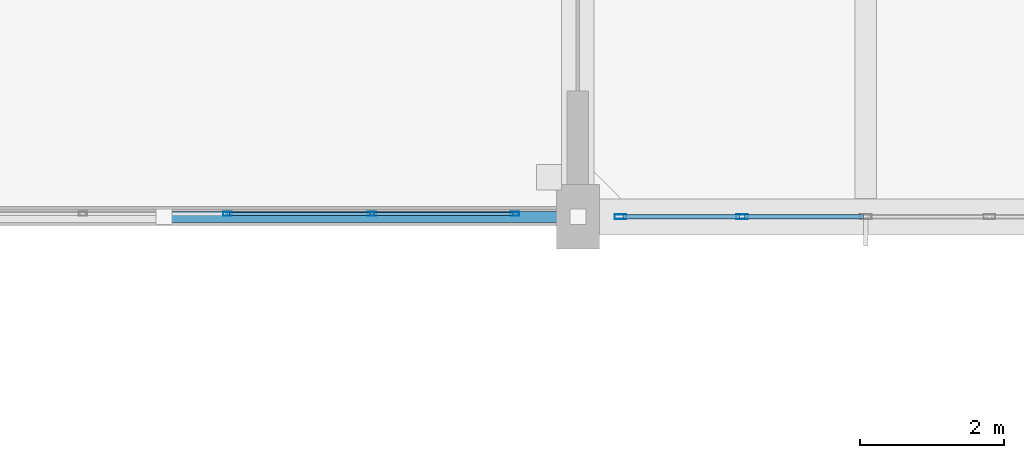
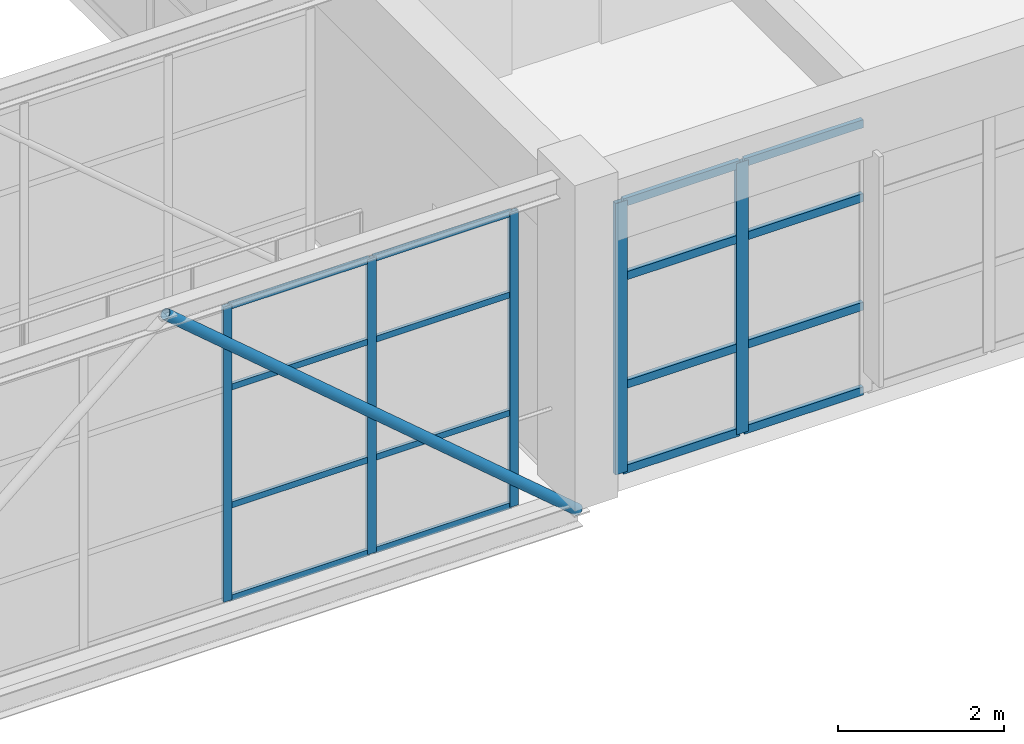
# One storey, part 99 of 248: 22 members, 2 elements without a shape of their own.
"""IFC4 building model written with IfcOpenShell, lengths in metres."""

from ifc_helpers import new_model, si_unit, direction, frame, origin, origin_2d, place, context, subcontext, project, spatial, hollow_rectangle, hollow_circle, extrude, material, layer, layer_set, material_profile, profile_set, type_object, element, aggregate, save


model = new_model("IFC4")

# Units and contexts
model_context = context("Model", 3, precision=1e-05, world=origin(), true_north=direction((0.0, 1.0)))
body_context = subcontext(model_context, "Body", "Model", "MODEL_VIEW")
ifc_project = project(units=[si_unit("LENGTHUNIT", "METRE"), si_unit("AREAUNIT", "SQUARE_METRE"), si_unit("VOLUMEUNIT", "CUBIC_METRE"), si_unit("PLANEANGLEUNIT", "RADIAN"), si_unit("MASSUNIT", "GRAM", prefix="KILO")], contexts=[model_context])

# Site, building, storey
site_placement = place(None, origin())
site = spatial("IfcSite", under=ifc_project, at=site_placement, CompositionType="ELEMENT")
building_placement = place(site_placement, origin())
building = spatial("IfcBuilding", under=site, at=building_placement, Name="Canggui Botanical Conservatory", CompositionType="ELEMENT")
storey_placement = place(building_placement, frame((0.0, 0.0, 5.39990234375)))
storey = spatial("IfcBuildingStorey", under=building, at=storey_placement, Name="L02", CompositionType="ELEMENT", Elevation=5.39990234375)

# Curtain wall, members
ifc_material_1 = material(Name="Thermally Broken Aluminium", Category="aluminium")
ifc_layer_1 = layer(ifc_material_1, 0.1650390625, Name="Thermally Broken Aluminium", Category="aluminium")
ifc_layer_set_1 = layer_set([ifc_layer_1], Name="Thermally Broken Aluminium")
curtain_wall_type_1 = type_object("IfcCurtainWallType", Name="CW-UNIT-B", PredefinedType="USERDEFINED", material=ifc_layer_set_1)
curtain_wall_1_placement = place(storey_placement, origin())
curtain_wall_1 = element("IfcCurtainWall", 1, at=curtain_wall_1_placement, inside=storey, type_object=curtain_wall_type_1, Name="Facade Curtain Wall CW-TWR-L02-06", ObjectType="UNITISED CURTAIN WALL", PredefinedType="USERDEFINED")
ifc_material_profile_1 = material_profile(ifc_material_1, hollow_rectangle(XDim=0.06494140625, YDim=0.1650390625, WallThickness=0.00390625, at=origin_2d()), Name="CWM 65x165x4")
ifc_profile_set_1 = profile_set([ifc_material_profile_1], Name="Thermally Broken Aluminium")
member_type_1 = type_object("IfcMemberType", Name="CWM-02", PredefinedType="MULLION", material=ifc_profile_set_1)
member_1_placement = place(storey_placement, frame((132.280029296875, 26.0, 0.0), z_axis=(0.0, 0.0, 1.0), x_axis=(0.0, -1.0, 0.0)))
member_1 = element("IfcMember", 2, at=member_1_placement, type_object=member_type_1, Name="CW-02 mullion 4", PredefinedType="MULLION", context=body_context, shape_type="SweptSolid", body=[
    extrude(hollow_rectangle(XDim=0.06494140625, YDim=0.1650390625, WallThickness=0.00390625, at=origin_2d()), origin(), (0.0, 0.0, 1.0), 4.0),
])
member_2_placement = place(storey_placement, frame((130.592529296875, 26.0, 0.0), z_axis=(0.0, 0.0, 1.0), x_axis=(0.0, -1.0, 0.0)))
member_2 = element("IfcMember", 3, at=member_2_placement, type_object=member_type_1, Name="CW-02 mullion 5", PredefinedType="MULLION", context=body_context, shape_type="SweptSolid", body=[
    extrude(hollow_rectangle(XDim=0.06494140625, YDim=0.1650390625, WallThickness=0.00390625, at=origin_2d()), origin(), (0.0, 0.0, 1.0), 4.0),
])

ifc_layer_2 = layer(ifc_material_1, 0.1201171875, Name="Thermally Broken Aluminium", Category="aluminium")
ifc_layer_set_2 = layer_set([ifc_layer_2], Name="Thermally Broken Aluminium")
curtain_wall_type_2 = type_object("IfcCurtainWallType", Name="CW-STICK-B", PredefinedType="USERDEFINED", material=ifc_layer_set_2)
curtain_wall_2_placement = place(storey_placement, origin())
curtain_wall_2 = element("IfcCurtainWall", 4, at=curtain_wall_2_placement, inside=storey, type_object=curtain_wall_type_2, Name="Facade Curtain Wall CW-SB-01-1", ObjectType="STICK GLAZED WALL", PredefinedType="USERDEFINED")
ifc_material_profile_2 = material_profile(ifc_material_1, hollow_rectangle(XDim=0.054931640625, YDim=0.1201171875, WallThickness=0.0029296875, at=origin_2d()), Name="CWM 55x120x3")
ifc_profile_set_2 = profile_set([ifc_material_profile_2], Name="Thermally Broken Aluminium")
member_type_2 = type_object("IfcMemberType", Name="CWM-05", PredefinedType="MULLION", material=ifc_profile_set_2)
member_3_placement = place(storey_placement, frame((125.130615234375, 26.0400390625, 0.0), z_axis=(0.0, 0.0, 1.0), x_axis=(0.0, 1.0, 0.0)))
member_3 = element("IfcMember", 5, at=member_3_placement, type_object=member_type_2, Name="CW-05 mullion 30", PredefinedType="MULLION", context=body_context, shape_type="SweptSolid", body=[
    extrude(hollow_rectangle(XDim=0.054931640625, YDim=0.1201171875, WallThickness=0.0029296875, at=origin_2d()), origin(), (0.0, 0.0, 1.0), 4.35009765625),
])
member_4_placement = place(storey_placement, frame((127.140380859375, 26.0400390625, 0.0), z_axis=(0.0, 0.0, 1.0), x_axis=(0.0, 1.0, 0.0)))
member_4 = element("IfcMember", 6, at=member_4_placement, type_object=member_type_2, Name="CW-05 mullion 31", PredefinedType="MULLION", context=body_context, shape_type="SweptSolid", body=[
    extrude(hollow_rectangle(XDim=0.054931640625, YDim=0.1201171875, WallThickness=0.0029296875, at=origin_2d()), origin(), (0.0, 0.0, 1.0), 4.35009765625),
])
member_5_placement = place(storey_placement, frame((129.12255859375, 26.0400390625, 0.0), z_axis=(0.0, 0.0, 1.0), x_axis=(0.0, 1.0, 0.0)))
member_5 = element("IfcMember", 7, at=member_5_placement, type_object=member_type_2, Name="CW-05 mullion 32", PredefinedType="MULLION", context=body_context, shape_type="SweptSolid", body=[
    extrude(hollow_rectangle(XDim=0.054931640625, YDim=0.1201171875, WallThickness=0.0029296875, at=origin_2d()), origin(), (0.0, 0.0, 1.0), 4.35009765625),
])

# Member
ifc_material_profile_3 = material_profile(ifc_material_1, hollow_rectangle(XDim=0.06005859375, YDim=0.1201171875, WallThickness=0.00341796875, at=origin_2d()), Name="CWT 60x120x3.5")
ifc_profile_set_3 = profile_set([ifc_material_profile_3], Name="Thermally Broken Aluminium")
member_type_3 = type_object("IfcMemberType", Name="CWT-02", PredefinedType="USERDEFINED", material=ifc_profile_set_3)
member_6_placement = place(storey_placement, frame((133.967529296875, 26.0, 0.030029296875), z_axis=(-1.0, 0.0, 0.0), x_axis=(0.0, -1.0, 0.0)))
member_6 = element("IfcMember", 8, at=member_6_placement, type_object=member_type_3, Name="CW-02 transom 3.1", ObjectType="TRANSOM", PredefinedType="USERDEFINED", context=body_context, shape_type="SweptSolid", body=[
    extrude(hollow_rectangle(XDim=0.06005859375, YDim=0.1201171875, WallThickness=0.00341796875, at=origin_2d()), origin(), (0.0, 0.0, 1.0), 1.655029296875),
])

member_7_placement = place(storey_placement, frame((133.967529296875, 26.0, 1.280029296875), z_axis=(-1.0, 0.0, 0.0), x_axis=(0.0, -1.0, 0.0)))
member_7 = element("IfcMember", 9, at=member_7_placement, type_object=member_type_3, Name="CW-02 transom 3.2", ObjectType="TRANSOM", PredefinedType="USERDEFINED", context=body_context, shape_type="SweptSolid", body=[
    extrude(hollow_rectangle(XDim=0.06005859375, YDim=0.1201171875, WallThickness=0.00341796875, at=origin_2d()), origin(), (0.0, 0.0, 1.0), 1.655029296875),
])

member_8_placement = place(storey_placement, frame((133.967529296875, 26.0, 2.880126953125), z_axis=(-1.0, 0.0, 0.0), x_axis=(0.0, -1.0, 0.0)))
member_8 = element("IfcMember", 10, at=member_8_placement, type_object=member_type_3, Name="CW-02 transom 3.3", ObjectType="TRANSOM", PredefinedType="USERDEFINED", context=body_context, shape_type="SweptSolid", body=[
    extrude(hollow_rectangle(XDim=0.06005859375, YDim=0.1201171875, WallThickness=0.00341796875, at=origin_2d()), origin(), (0.0, 0.0, 1.0), 1.655029296875),
])

member_9_placement = place(storey_placement, frame((133.967529296875, 26.0, 3.97021484375), z_axis=(-1.0, 0.0, 0.0), x_axis=(0.0, -1.0, 0.0)))
member_9 = element("IfcMember", 11, at=member_9_placement, type_object=member_type_3, Name="CW-02 transom 3.4", ObjectType="TRANSOM", PredefinedType="USERDEFINED", context=body_context, shape_type="SweptSolid", body=[
    extrude(hollow_rectangle(XDim=0.06005859375, YDim=0.1201171875, WallThickness=0.00341796875, at=origin_2d()), origin(), (0.0, 0.0, 1.0), 1.655029296875),
])

member_10_placement = place(storey_placement, frame((132.24755859375, 26.0, 0.030029296875), z_axis=(-1.0, 0.0, 0.0), x_axis=(0.0, -1.0, 0.0)))
member_10 = element("IfcMember", 12, at=member_10_placement, type_object=member_type_3, Name="CW-02 transom 4.1", ObjectType="TRANSOM", PredefinedType="USERDEFINED", context=body_context, shape_type="SweptSolid", body=[
    extrude(hollow_rectangle(XDim=0.06005859375, YDim=0.1201171875, WallThickness=0.00341796875, at=origin_2d()), origin(), (0.0, 0.0, 1.0), 1.62255859375),
])

member_11_placement = place(storey_placement, frame((132.24755859375, 26.0, 1.280029296875), z_axis=(-1.0, 0.0, 0.0), x_axis=(0.0, -1.0, 0.0)))
member_11 = element("IfcMember", 13, at=member_11_placement, type_object=member_type_3, Name="CW-02 transom 4.2", ObjectType="TRANSOM", PredefinedType="USERDEFINED", context=body_context, shape_type="SweptSolid", body=[
    extrude(hollow_rectangle(XDim=0.06005859375, YDim=0.1201171875, WallThickness=0.00341796875, at=origin_2d()), origin(), (0.0, 0.0, 1.0), 1.62255859375),
])

member_12_placement = place(storey_placement, frame((132.24755859375, 26.0, 2.880126953125), z_axis=(-1.0, 0.0, 0.0), x_axis=(0.0, -1.0, 0.0)))
member_12 = element("IfcMember", 14, at=member_12_placement, type_object=member_type_3, Name="CW-02 transom 4.3", ObjectType="TRANSOM", PredefinedType="USERDEFINED", context=body_context, shape_type="SweptSolid", body=[
    extrude(hollow_rectangle(XDim=0.06005859375, YDim=0.1201171875, WallThickness=0.00341796875, at=origin_2d()), origin(), (0.0, 0.0, 1.0), 1.62255859375),
])

member_13_placement = place(storey_placement, frame((132.24755859375, 26.0, 3.97021484375), z_axis=(-1.0, 0.0, 0.0), x_axis=(0.0, -1.0, 0.0)))
member_13 = element("IfcMember", 15, at=member_13_placement, type_object=member_type_3, Name="CW-02 transom 4.4", ObjectType="TRANSOM", PredefinedType="USERDEFINED", context=body_context, shape_type="SweptSolid", body=[
    extrude(hollow_rectangle(XDim=0.06005859375, YDim=0.1201171875, WallThickness=0.00341796875, at=origin_2d()), origin(), (0.0, 0.0, 1.0), 1.62255859375),
])

aggregate(curtain_wall_1, [member_1, member_2, member_6, member_7, member_8, member_9, member_10, member_11, member_12, member_13])

ifc_material_profile_4 = material_profile(ifc_material_1, hollow_rectangle(XDim=0.044921875, YDim=0.090087890625, WallThickness=0.0029296875, at=origin_2d()), Name="CWT 45x90x3")
ifc_profile_set_4 = profile_set([ifc_material_profile_4], Name="Thermally Broken Aluminium")
member_type_4 = type_object("IfcMemberType", Name="CWT-05", PredefinedType="USERDEFINED", material=ifc_profile_set_4)
member_14_placement = place(storey_placement, frame((125.158203125, 26.0400390625, 0.022705078125), z_axis=(1.0, 0.0, 0.0), x_axis=(0.0, 1.0, 0.0)))
member_14 = element("IfcMember", 16, at=member_14_placement, type_object=member_type_4, Name="CW-05 transom 30.1", ObjectType="TRANSOM", PredefinedType="USERDEFINED", context=body_context, shape_type="SweptSolid", body=[
    extrude(hollow_rectangle(XDim=0.044921875, YDim=0.090087890625, WallThickness=0.0029296875, at=origin_2d()), origin(), (0.0, 0.0, 1.0), 1.95458984375),
])

member_15_placement = place(storey_placement, frame((125.158203125, 26.0400390625, 1.39208984375), z_axis=(1.0, 0.0, 0.0), x_axis=(0.0, 1.0, 0.0)))
member_15 = element("IfcMember", 17, at=member_15_placement, type_object=member_type_4, Name="CW-05 transom 30.2", ObjectType="TRANSOM", PredefinedType="USERDEFINED", context=body_context, shape_type="SweptSolid", body=[
    extrude(hollow_rectangle(XDim=0.044921875, YDim=0.090087890625, WallThickness=0.0029296875, at=origin_2d()), origin(), (0.0, 0.0, 1.0), 1.95458984375),
])

member_16_placement = place(storey_placement, frame((125.158203125, 26.0400390625, 3.132080078125), z_axis=(1.0, 0.0, 0.0), x_axis=(0.0, 1.0, 0.0)))
member_16 = element("IfcMember", 18, at=member_16_placement, type_object=member_type_4, Name="CW-05 transom 30.3", ObjectType="TRANSOM", PredefinedType="USERDEFINED", context=body_context, shape_type="SweptSolid", body=[
    extrude(hollow_rectangle(XDim=0.044921875, YDim=0.090087890625, WallThickness=0.0029296875, at=origin_2d()), origin(), (0.0, 0.0, 1.0), 1.95458984375),
])

member_17_placement = place(storey_placement, frame((125.158203125, 26.0400390625, 4.32763671875), z_axis=(1.0, 0.0, 0.0), x_axis=(0.0, 1.0, 0.0)))
member_17 = element("IfcMember", 19, at=member_17_placement, type_object=member_type_4, Name="CW-05 transom 30.4", ObjectType="TRANSOM", PredefinedType="USERDEFINED", context=body_context, shape_type="SweptSolid", body=[
    extrude(hollow_rectangle(XDim=0.044921875, YDim=0.090087890625, WallThickness=0.0029296875, at=origin_2d()), origin(), (0.0, 0.0, 1.0), 1.95458984375),
])

member_18_placement = place(storey_placement, frame((127.167724609375, 26.0400390625, 0.022705078125), z_axis=(1.0, 0.0, 0.0), x_axis=(0.0, 1.0, 0.0)))
member_18 = element("IfcMember", 20, at=member_18_placement, type_object=member_type_4, Name="CW-05 transom 31.1", ObjectType="TRANSOM", PredefinedType="USERDEFINED", context=body_context, shape_type="SweptSolid", body=[
    extrude(hollow_rectangle(XDim=0.044921875, YDim=0.090087890625, WallThickness=0.0029296875, at=origin_2d()), origin(), (0.0, 0.0, 1.0), 1.92724609375),
])

member_19_placement = place(storey_placement, frame((127.167724609375, 26.0400390625, 1.39208984375), z_axis=(1.0, 0.0, 0.0), x_axis=(0.0, 1.0, 0.0)))
member_19 = element("IfcMember", 21, at=member_19_placement, type_object=member_type_4, Name="CW-05 transom 31.2", ObjectType="TRANSOM", PredefinedType="USERDEFINED", context=body_context, shape_type="SweptSolid", body=[
    extrude(hollow_rectangle(XDim=0.044921875, YDim=0.090087890625, WallThickness=0.0029296875, at=origin_2d()), origin(), (0.0, 0.0, 1.0), 1.92724609375),
])

member_20_placement = place(storey_placement, frame((127.167724609375, 26.0400390625, 3.132080078125), z_axis=(1.0, 0.0, 0.0), x_axis=(0.0, 1.0, 0.0)))
member_20 = element("IfcMember", 22, at=member_20_placement, type_object=member_type_4, Name="CW-05 transom 31.3", ObjectType="TRANSOM", PredefinedType="USERDEFINED", context=body_context, shape_type="SweptSolid", body=[
    extrude(hollow_rectangle(XDim=0.044921875, YDim=0.090087890625, WallThickness=0.0029296875, at=origin_2d()), origin(), (0.0, 0.0, 1.0), 1.92724609375),
])

member_21_placement = place(storey_placement, frame((127.167724609375, 26.0400390625, 4.32763671875), z_axis=(1.0, 0.0, 0.0), x_axis=(0.0, 1.0, 0.0)))
member_21 = element("IfcMember", 23, at=member_21_placement, type_object=member_type_4, Name="CW-05 transom 31.4", ObjectType="TRANSOM", PredefinedType="USERDEFINED", context=body_context, shape_type="SweptSolid", body=[
    extrude(hollow_rectangle(XDim=0.044921875, YDim=0.090087890625, WallThickness=0.0029296875, at=origin_2d()), origin(), (0.0, 0.0, 1.0), 1.92724609375),
])

aggregate(curtain_wall_2, [member_3, member_4, member_5, member_14, member_15, member_16, member_17, member_18, member_19, member_20, member_21])

ifc_material_2 = material(Name="Steel Q355C", Category="steel")
ifc_material_profile_5 = material_profile(ifc_material_2, hollow_circle(Radius=0.075927734375, WallThickness=0.006103515625, at=origin_2d()), Name="CHS 152x6")
ifc_profile_set_5 = profile_set([ifc_material_profile_5], Name="Steel Q355C")
member_type_5 = type_object("IfcMemberType", Name="MEM-GSD04", PredefinedType="RAFTER", material=ifc_profile_set_5)
member_22_placement = place(storey_placement, frame((124.25, 26.0, 4.550048828125), z_axis=(0.761128593641, 0.0, -0.648601005196), x_axis=(0.0, 1.0, 0.0)))
element("IfcMember", 24, at=member_22_placement, inside=storey, type_object=member_type_5, Name="SB-01 Truss Web Rafter 1.8B", PredefinedType="RAFTER", context=body_context, shape_type="SweptSolid", body=[
    extrude(hollow_circle(Radius=0.075927734375, WallThickness=0.006103515625, at=origin_2d()), origin(), (0.0, 0.0, 1.0), 7.5546875),
])

save(model, "model.ifc")
